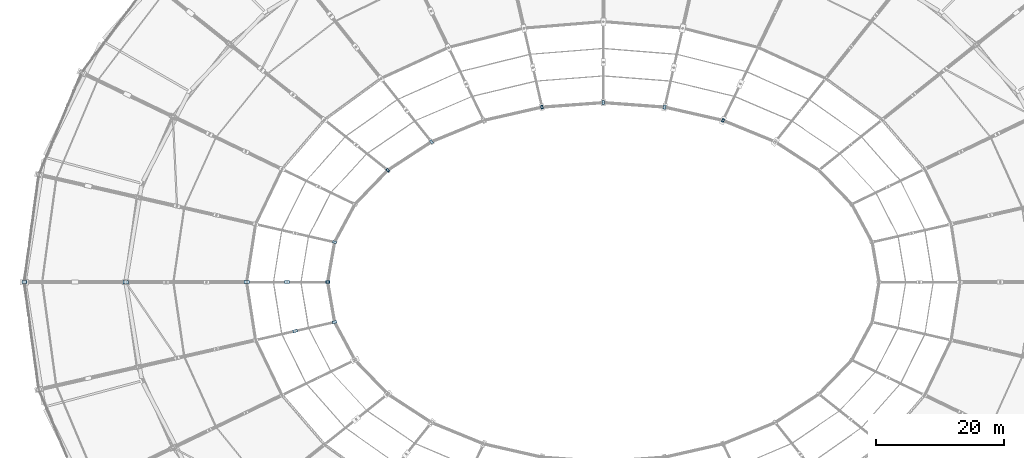
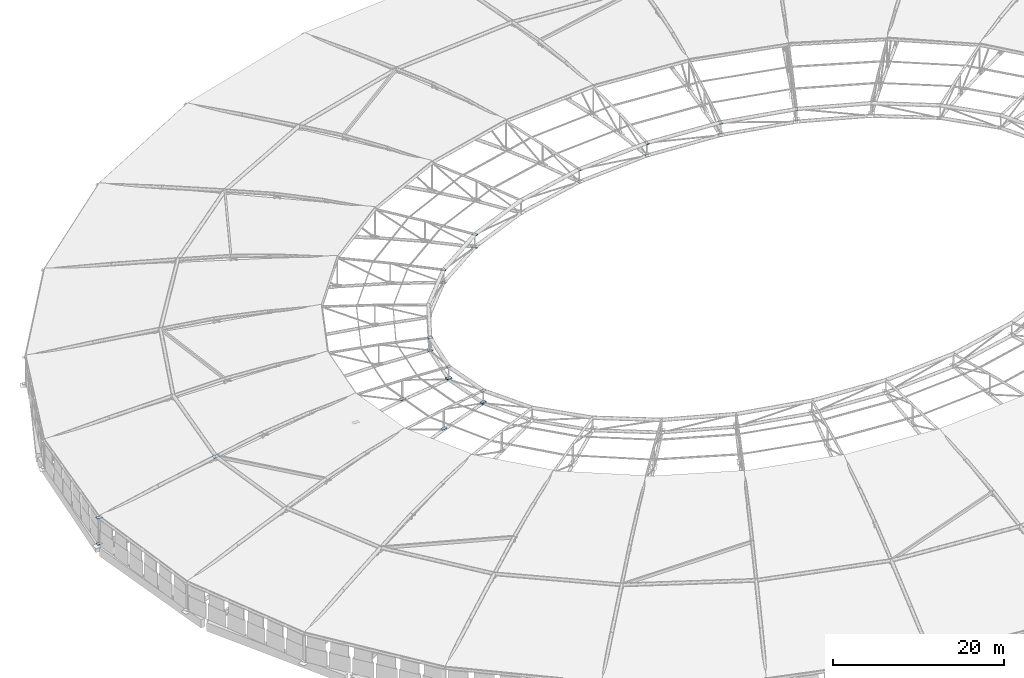
# One storey, part 97 of 108: 27 plates.
"""IFC4 building model written with IfcOpenShell, lengths in metres."""

from ifc_helpers import new_model, si_unit, direction, frame, origin, origin_2d, place, context, subcontext, project, spatial, rectangle, extrude, material, layer, layer_set, type_object, element, save


model = new_model("IFC4")

# Units and contexts
model_context = context("Model", 3, precision=1e-05, world=origin(), true_north=direction((0.0, 1.0)))
body_context = subcontext(model_context, "Body", "Model", "MODEL_VIEW")
ifc_project = project(units=[si_unit("LENGTHUNIT", "METRE"), si_unit("AREAUNIT", "SQUARE_METRE"), si_unit("VOLUMEUNIT", "CUBIC_METRE"), si_unit("PLANEANGLEUNIT", "RADIAN"), si_unit("MASSUNIT", "GRAM", prefix="KILO")], contexts=[model_context])

# Site, building, storey
site_placement = place(None, origin())
site = spatial("IfcSite", under=ifc_project, at=site_placement, CompositionType="ELEMENT")
building_placement = place(site_placement, origin())
building = spatial("IfcBuilding", under=site, at=building_placement, Name="Zevraka Park Crest Stadium", CompositionType="ELEMENT")
storey_placement = place(building_placement, frame((0.0, 0.0, 29.39990234375)))
storey = spatial("IfcBuildingStorey", under=building, at=storey_placement, Name="RF", CompositionType="ELEMENT", Elevation=29.39990234375)

# Plates
ifc_material_1 = material(Name="Steel S355", Category="steel")
ifc_layer_1 = layer(ifc_material_1, 0.02490234375)
ifc_layer_set_1 = layer_set([ifc_layer_1], Name="Steel S355")
plate_type_1 = type_object("IfcPlateType", Name="EC01", PredefinedType="SHEET", material=ifc_layer_set_1)
plate_1_placement = place(storey_placement, frame((37.5, 92.0, 7.1982421875), z_axis=(0.0, 0.0, 1.0), x_axis=(1.0, 0.0, 0.0)))
element("IfcPlate", 1, at=plate_1_placement, inside=storey, type_object=plate_type_1, Name="Hollow Strut Top Closure Cap Plate EC01 T15-2", PredefinedType="SHEET", context=body_context, shape_type="SweptSolid", body=[
    extrude(rectangle(XDim=0.840087890625, YDim=0.5400390625, at=origin_2d()), origin(), (0.0, 0.0, 1.0), 0.02490234375),
])
ifc_material_2 = material(Name="Steel S355", Category="steel")
ifc_layer_2 = layer(ifc_material_2, 0.02490234375)
ifc_layer_set_2 = layer_set([ifc_layer_2], Name="Steel S355")
plate_type_2 = type_object("IfcPlateType", Name="EC02", PredefinedType="SHEET", material=ifc_layer_set_2)
plate_2_placement = place(storey_placement, frame((21.699951171875, 92.0, 3.998046875), z_axis=(0.0, 0.0, 1.0), x_axis=(1.0, 0.0, 0.0)))
element("IfcPlate", 2, at=plate_2_placement, inside=storey, type_object=plate_type_2, Name="Hollow Strut Top Closure Cap Plate EC02 T15-0", PredefinedType="SHEET", context=body_context, shape_type="SweptSolid", body=[
    extrude(rectangle(XDim=0.780029296875, YDim=0.5, at=origin_2d()), origin(), (0.0, 0.0, 1.0), 0.02490234375),
])
ifc_material_3 = material(Name="Steel S355", Category="steel")
ifc_layer_3 = layer(ifc_material_3, 0.02197265625)
ifc_layer_set_3 = layer_set([ifc_layer_3], Name="Steel S355")
plate_type_3 = type_object("IfcPlateType", Name="EC03", PredefinedType="SHEET", material=ifc_layer_set_3)
for number, where, z_axis, x_axis, name in (
    (3, (21.699951171875, 92.0, 0.239013671875), (0.0, 0.0, 1.0), (1.0, 0.0, 0.0), "TN5 Hollow Chord End Cap Plate EC03 T15-HEEL-B"),
    (4, (21.699951171875, 92.0, 3.989013671875), (0.0, 0.0, 1.0), (1.0, 0.0, 0.0), "TN5 Hollow Chord End Cap Plate EC03 T15-HEEL-T"),
):
    element("IfcPlate", number, at=place(storey_placement, frame(where, z_axis=z_axis, x_axis=x_axis)), inside=storey, type_object=plate_type_3, Name=name, PredefinedType="SHEET", context=body_context, shape_type="SweptSolid", body=[
        extrude(rectangle(XDim=0.719970703125, YDim=0.4599609375, at=origin_2d()), origin(), (0.0, 0.0, 1.0), 0.02197265625),
    ])
ifc_material_4 = material(Name="Steel S355", Category="steel")
ifc_layer_4 = layer(ifc_material_4, 0.02001953125)
ifc_layer_set_4 = layer_set([ifc_layer_4], Name="Steel S355")
plate_type_4 = type_object("IfcPlateType", Name="EC04", PredefinedType="SHEET", material=ifc_layer_set_4)
for number, where, z_axis, x_axis, name in (
    (5, (121.568115234375, 119.298095703125, 7.190185546875), (0.0, 0.0, 1.0), (0.222569549971, 0.974916814618, 0.0), "TN5 Hollow Chord End Cap Plate EC04 T07-TIP-B"),
    (6, (121.568115234375, 119.298095703125, 8.989990234375), (0.0, 0.0, 1.0), (0.222569549971, 0.974916814618, 0.0), "TN5 Hollow Chord End Cap Plate EC04 T07-TIP-T"),
    (7, (70.077880859375, 85.76904296875, 7.190185546875), (0.0, 0.0, 1.0), (0.974916814618, 0.222569549971, 0.0), "TN5 Hollow Chord End Cap Plate EC04 T16-TIP-B"),
    (8, (70.077880859375, 85.76904296875, 8.989990234375), (0.0, 0.0, 1.0), (0.974916814618, 0.222569549971, 0.0), "TN5 Hollow Chord End Cap Plate EC04 T16-TIP-T"),
):
    element("IfcPlate", number, at=place(storey_placement, frame(where, z_axis=z_axis, x_axis=x_axis)), inside=storey, type_object=plate_type_4, Name=name, PredefinedType="SHEET", context=body_context, shape_type="SweptSolid", body=[
        extrude(rectangle(XDim=0.659912109375, YDim=0.419921875, at=origin_2d()), origin(), (0.0, 0.0, 1.0), 0.02001953125),
    ])
ifc_material_5 = material(Name="Steel S355", Category="steel")
ifc_layer_5 = layer(ifc_material_5, 0.02001953125)
ifc_layer_set_5 = layer_set([ifc_layer_5], Name="Steel S355")
plate_type_5 = type_object("IfcPlateType", Name="EC05", PredefinedType="SHEET", material=ifc_layer_set_5)
for number, where, z_axis, x_axis, name in (
    (9, (112.0, 120.0, 7.190185546875), (0.0, 0.0, 1.0), (0.0, 1.0, 0.0), "TN5 Hollow Chord End Cap Plate EC05 T08-TIP-B"),
    (10, (112.0, 120.0, 8.989990234375), (0.0, 0.0, 1.0), (0.0, 1.0, 0.0), "TN5 Hollow Chord End Cap Plate EC05 T08-TIP-T"),
    (11, (85.18994140625, 113.89111328125, 7.190185546875), (0.0, 0.0, 1.0), (-0.623470308046, 0.781847027868, 0.0), "TN5 Hollow Chord End Cap Plate EC05 T11-TIP-B"),
    (12, (85.18994140625, 113.89111328125, 8.989990234375), (0.0, 0.0, 1.0), (-0.623470308046, 0.781847027868, 0.0), "TN5 Hollow Chord End Cap Plate EC05 T11-TIP-T"),
    (13, (70.077880859375, 98.23095703125, 7.190185546875), (0.0, 0.0, 1.0), (-0.974916814618, 0.222569549971, 0.0), "TN5 Hollow Chord End Cap Plate EC05 T14-TIP-B"),
    (14, (70.077880859375, 98.23095703125, 8.989990234375), (0.0, 0.0, 1.0), (-0.974916814618, 0.222569549971, 0.0), "TN5 Hollow Chord End Cap Plate EC05 T14-TIP-T"),
):
    element("IfcPlate", number, at=place(storey_placement, frame(where, z_axis=z_axis, x_axis=x_axis)), inside=storey, type_object=plate_type_5, Name=name, PredefinedType="SHEET", context=body_context, shape_type="SweptSolid", body=[
        extrude(rectangle(XDim=0.60009765625, YDim=0.3798828125, at=origin_2d()), origin(), (0.0, 0.0, 1.0), 0.02001953125),
    ])
ifc_material_6 = material(Name="Steel S355", Category="steel")
ifc_layer_6 = layer(ifc_material_6, 0.01806640625)
ifc_layer_set_6 = layer_set([ifc_layer_6], Name="Steel S355")
plate_type_6 = type_object("IfcPlateType", Name="EC06", PredefinedType="SHEET", material=ifc_layer_set_6)
for number, where, z_axis, x_axis, name in (
    (15, (130.656982421875, 117.22705078125, 7.191162109375), (0.0, 0.0, 1.0), (0.43381634559, 0.90100131981, 0.0), "TN5 Hollow Chord End Cap Plate EC06 T06-TIP-B"),
    (16, (130.656982421875, 117.22705078125, 8.990966796875), (0.0, 0.0, 1.0), (0.43381634559, 0.90100131981, 0.0), "TN5 Hollow Chord End Cap Plate EC06 T06-TIP-T"),
    (17, (102.431884765625, 119.298095703125, 7.191162109375), (0.0, 0.0, 1.0), (-0.222569549971, 0.974916814618, 0.0), "TN5 Hollow Chord End Cap Plate EC06 T09-TIP-B"),
    (18, (102.431884765625, 119.298095703125, 8.990966796875), (0.0, 0.0, 1.0), (-0.222569549971, 0.974916814618, 0.0), "TN5 Hollow Chord End Cap Plate EC06 T09-TIP-T"),
    (19, (78.381103515625, 109.4580078125, 7.191162109375), (0.0, 0.0, 1.0), (-0.781847027868, 0.623470308046, 0.0), "TN5 Hollow Chord End Cap Plate EC06 T12-TIP-B"),
    (20, (78.381103515625, 109.4580078125, 8.990966796875), (0.0, 0.0, 1.0), (-0.781847027868, 0.623470308046, 0.0), "TN5 Hollow Chord End Cap Plate EC06 T12-TIP-T"),
    (21, (69.0, 92.0, 7.191162109375), (0.0, 0.0, 1.0), (1.0, 0.0, 0.0), "TN5 Hollow Chord End Cap Plate EC06 T15-TIP-B"),
    (22, (69.0, 92.0, 8.990966796875), (0.0, 0.0, 1.0), (1.0, 0.0, 0.0), "TN5 Hollow Chord End Cap Plate EC06 T15-TIP-T"),
):
    element("IfcPlate", number, at=place(storey_placement, frame(where, z_axis=z_axis, x_axis=x_axis)), inside=storey, type_object=plate_type_6, Name=name, PredefinedType="SHEET", context=body_context, shape_type="SweptSolid", body=[
        extrude(rectangle(XDim=0.5400390625, YDim=0.340087890625, at=origin_2d()), origin(), (0.0, 0.0, 1.0), 0.01806640625),
    ])
ifc_material_7 = material(Name="Steel S355", Category="steel")
ifc_layer_7 = layer(ifc_material_7, 0.02392578125)
ifc_layer_set_7 = layer_set([ifc_layer_7], Name="Steel S355")
plate_type_7 = type_object("IfcPlateType", Name="GP07", PredefinedType="USERDEFINED", material=ifc_layer_set_7)
plate_3_placement = place(storey_placement, frame((56.39990234375, 92.0, 5.468017578125), z_axis=(0.0, 0.0, 1.0), x_axis=(1.0, 0.0, 0.0)))
element("IfcPlate", 23, at=plate_3_placement, inside=storey, type_object=plate_type_7, Name="TN5 Truss Node Gusset Plate GP07 T15-5", ObjectType="GUSSET PLATE", PredefinedType="USERDEFINED", context=body_context, shape_type="SweptSolid", body=[
    extrude(rectangle(XDim=0.840087890625, YDim=0.5, at=origin_2d()), origin(), (0.0, 0.0, 1.0), 0.02392578125),
])
ifc_material_8 = material(Name="Steel S355", Category="steel")
ifc_layer_8 = layer(ifc_material_8, 0.02197265625)
ifc_layer_set_8 = layer_set([ifc_layer_8], Name="Steel S355")
plate_type_8 = type_object("IfcPlateType", Name="GP08", PredefinedType="USERDEFINED", material=ifc_layer_set_8)
plate_4_placement = place(storey_placement, frame((62.699951171875, 92.0, 6.569091796875), z_axis=(0.0, 0.0, 1.0), x_axis=(1.0, 0.0, 0.0)))
element("IfcPlate", 24, at=plate_4_placement, inside=storey, type_object=plate_type_8, Name="TN6 Truss Node Gusset Plate GP08 T15-6", ObjectType="GUSSET PLATE", PredefinedType="USERDEFINED", context=body_context, shape_type="SweptSolid", body=[
    extrude(rectangle(XDim=0.780029296875, YDim=0.47998046875, at=origin_2d()), origin(), (0.0, 0.0, 1.0), 0.02197265625),
])
ifc_material_9 = material(Name="Steel S355", Category="steel")
ifc_layer_9 = layer(ifc_material_9, 0.02197265625)
ifc_layer_set_9 = layer_set([ifc_layer_9], Name="Steel S355")
plate_type_9 = type_object("IfcPlateType", Name="GP09", PredefinedType="USERDEFINED", material=ifc_layer_set_9)
for number, where, z_axis, x_axis, name in (
    (25, (69.0, 92.0, 7.369140625), (0.0, 0.0, 1.0), (1.0, 0.0, 0.0), "TN6 Truss Node Gusset Plate GP09 T15-7"),
    (26, (63.93603515625, 84.367919921875, 6.569091796875), (0.0, 0.0, 1.0), (0.974916814618, 0.222569549971, 0.0), "TN6 Truss Node Gusset Plate GP09 T16-6"),
):
    element("IfcPlate", number, at=place(storey_placement, frame(where, z_axis=z_axis, x_axis=x_axis)), inside=storey, type_object=plate_type_9, Name=name, ObjectType="GUSSET PLATE", PredefinedType="USERDEFINED", context=body_context, shape_type="SweptSolid", body=[
        extrude(rectangle(XDim=0.719970703125, YDim=0.43994140625, at=origin_2d()), origin(), (0.0, 0.0, 1.0), 0.02197265625),
    ])
ifc_material_10 = material(Name="Steel S355", Category="steel")
ifc_layer_10 = layer(ifc_material_10, 0.02001953125)
ifc_layer_set_10 = layer_set([ifc_layer_10], Name="Steel S355")
plate_type_10 = type_object("IfcPlateType", Name="GP10", PredefinedType="USERDEFINED", material=ifc_layer_set_10)
plate_5_placement = place(storey_placement, frame((70.077880859375, 85.76904296875, 7.3701171875), z_axis=(0.0, 0.0, 1.0), x_axis=(0.974916814618, 0.222569549971, 0.0)))
element("IfcPlate", 27, at=plate_5_placement, inside=storey, type_object=plate_type_10, Name="TN6 Truss Node Gusset Plate GP10 T16-7", ObjectType="GUSSET PLATE", PredefinedType="USERDEFINED", context=body_context, shape_type="SweptSolid", body=[
    extrude(rectangle(XDim=0.659912109375, YDim=0.39990234375, at=origin_2d()), origin(), (0.0, 0.0, 1.0), 0.02001953125),
])

save(model, "model.ifc")
